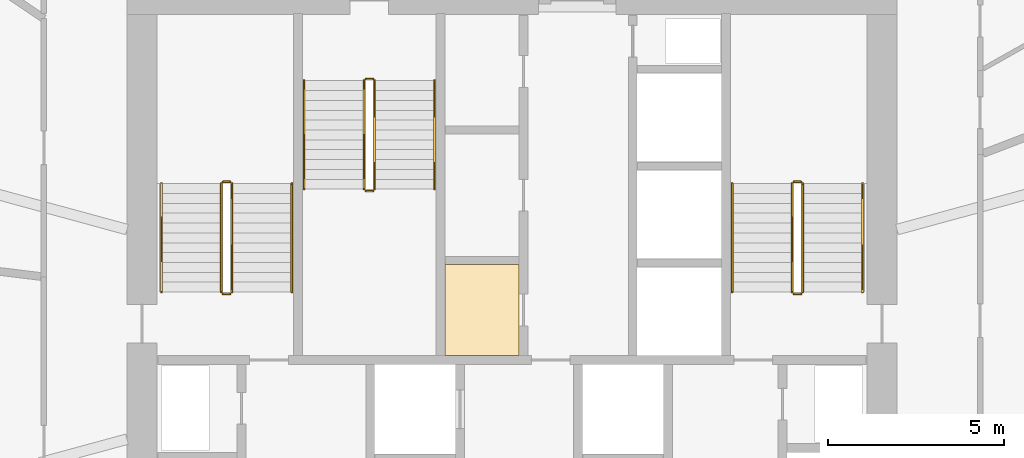
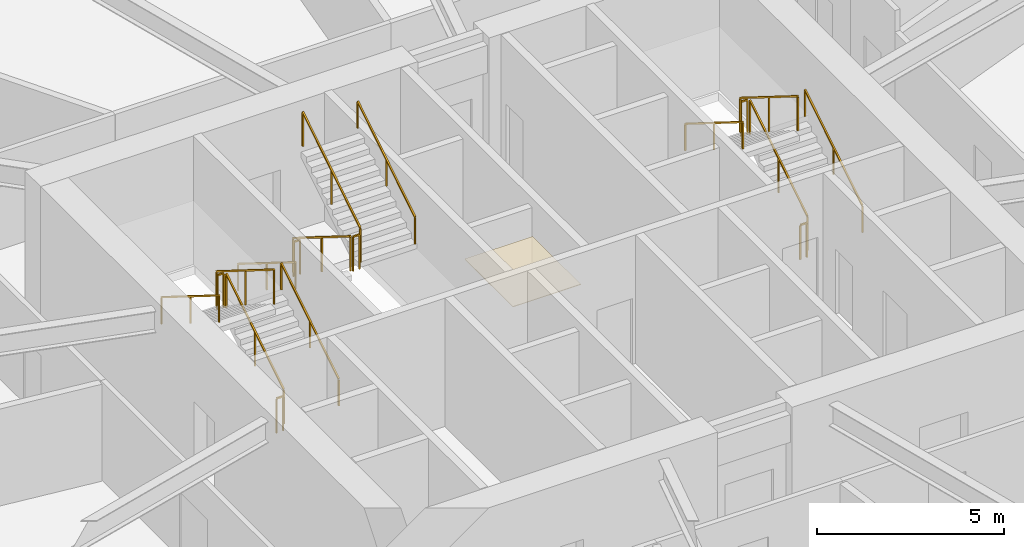
# One storey, part 25 of 25: 18 railings, 1 covering.
"""IFC4 building model written with IfcOpenShell, lengths in metres."""

from ifc_helpers import new_model, si_unit, direction, frame, origin, origin_2d, place, context, subcontext, project, spatial, polyline, rectangle, outline, extrude, material, layer, layer_set, type_object, element, save


model = new_model("IFC4")

# Units and contexts
model_context = context("Model", 3, precision=1e-05, world=origin(), true_north=direction((0.0, 1.0)))
body_context = subcontext(model_context, "Body", "Model", "MODEL_VIEW")
ifc_project = project(units=[si_unit("LENGTHUNIT", "METRE"), si_unit("AREAUNIT", "SQUARE_METRE"), si_unit("VOLUMEUNIT", "CUBIC_METRE"), si_unit("PLANEANGLEUNIT", "RADIAN"), si_unit("MASSUNIT", "GRAM", prefix="KILO")], contexts=[model_context])

# Site, building, storey
site_placement = place(None, origin())
site = spatial("IfcSite", under=ifc_project, at=site_placement, CompositionType="ELEMENT")
building_placement = place(site_placement, origin())
building = spatial("IfcBuilding", under=site, at=building_placement, Name="Zuhravey Tower", CompositionType="ELEMENT")
storey_placement = place(building_placement, frame((0.0, 0.0, 20.39990234375)))
storey = spatial("IfcBuildingStorey", under=building, at=storey_placement, Name="L05", CompositionType="ELEMENT", Elevation=20.39990234375)

# Covering
ifc_material_1 = material(Name="Moisture-resistant gypsum ceiling board")
ifc_layer = layer(ifc_material_1, 0.02001953125)
ifc_layer_set = layer_set([ifc_layer], Name="Moisture-resistant gypsum ceiling board")
covering_type = type_object("IfcCoveringType", Name="Moisture-Resistant Ceiling", PredefinedType="CEILING", material=ifc_layer_set)
covering_placement = place(storey_placement, frame((0.0, 0.0, 2.960205078125)))
element("IfcCovering", 1, at=covering_placement, inside=storey, type_object=covering_type, Name="L05 Wet-Room Ceiling CLG2", PredefinedType="CEILING", context=body_context, shape_type="SweptSolid", body=[
    extrude(outline(polyline([(36.199951171875, 31.39990234375), (36.199951171875, 33.97998046875), (34.10009765625, 33.97998046875), (34.10009765625, 31.39990234375), (36.199951171875, 31.39990234375)])), origin(), (0.0, 0.0, 1.0), 0.019775390625),
])

# Railings
ifc_material_2 = material(Name="Brushed stainless steel", Category="steel")
railing_type_1 = type_object("IfcRailingType", Name="Stair Wall Handrail 900", PredefinedType="HANDRAIL", material=ifc_material_2)
railing_1_placement = place(storey_placement, frame((29.75, 33.199951171875, 0.175048828125)))
element("IfcRailing", 2, at=railing_1_placement, inside=storey, type_object=railing_type_1, Name="L05 ST1 stair handrail 1", PredefinedType="HANDRAIL", context=body_context, shape_type="SweptSolid", body=[
    extrude(rectangle(XDim=0.048095703125, YDim=0.048095703125, at=origin_2d()), frame((0.0, 0.001708984375, 0.876953125), z_axis=(0.0, 0.847998304005, 0.529998940003), x_axis=(-1.0, 0.0, 0.0)), (0.0, 0.0, 1.0), 3.628173828125),
    extrude(rectangle(XDim=0.0419921875, YDim=0.0419921875, at=origin_2d()), origin(), (0.0, 0.0, 1.0), 0.849853515625),
    extrude(rectangle(XDim=0.0419921875, YDim=0.0419921875, at=origin_2d()), frame((0.0, 1.5400390625, 0.96240234375)), (0.0, 0.0, 1.0), 0.849853515625),
    extrude(rectangle(XDim=0.0419921875, YDim=0.0419921875, at=origin_2d()), frame((0.0, 3.080078125, 1.925048828125)), (0.0, 0.0, 1.0), 0.849853515625),
])
railing_2_placement = place(storey_placement, frame((26.050048828125, 36.280029296875, 2.275146484375)))
element("IfcRailing", 3, at=railing_2_placement, inside=storey, type_object=railing_type_1, Name="L05 ST1 stair handrail 2", PredefinedType="HANDRAIL", context=body_context, shape_type="SweptSolid", body=[
    extrude(rectangle(XDim=0.048095703125, YDim=0.048095703125, at=origin_2d()), frame((0.0, -0.001708984375, 0.876953125), z_axis=(0.0, -0.847998304005, 0.529998940003), x_axis=(1.0, 0.0, 0.0)), (0.0, 0.0, 1.0), 3.628173828125),
    extrude(rectangle(XDim=0.0419921875, YDim=0.0419921875, at=origin_2d()), origin(), (0.0, 0.0, 1.0), 0.849853515625),
    extrude(rectangle(XDim=0.0419921875, YDim=0.0419921875, at=origin_2d()), frame((0.0, -1.5400390625, 0.96240234375)), (0.0, 0.0, 1.0), 0.849853515625),
    extrude(rectangle(XDim=0.0419921875, YDim=0.0419921875, at=origin_2d()), frame((0.0, -3.080078125, 1.925048828125)), (0.0, 0.0, 1.0), 0.849853515625),
])
railing_3_placement = place(storey_placement, frame((45.949951171875, 33.199951171875, 0.175048828125)))
element("IfcRailing", 4, at=railing_3_placement, inside=storey, type_object=railing_type_1, Name="L05 ST2 stair handrail 1", PredefinedType="HANDRAIL", context=body_context, shape_type="SweptSolid", body=[
    extrude(rectangle(XDim=0.048095703125, YDim=0.048095703125, at=origin_2d()), frame((0.0, 0.001708984375, 0.876953125), z_axis=(0.0, 0.847998304005, 0.529998940003), x_axis=(-1.0, 0.0, 0.0)), (0.0, 0.0, 1.0), 3.628173828125),
    extrude(rectangle(XDim=0.0419921875, YDim=0.0419921875, at=origin_2d()), origin(), (0.0, 0.0, 1.0), 0.849853515625),
    extrude(rectangle(XDim=0.0419921875, YDim=0.0419921875, at=origin_2d()), frame((0.0, 1.5400390625, 0.96240234375)), (0.0, 0.0, 1.0), 0.849853515625),
    extrude(rectangle(XDim=0.0419921875, YDim=0.0419921875, at=origin_2d()), frame((0.0, 3.080078125, 1.925048828125)), (0.0, 0.0, 1.0), 0.849853515625),
])
railing_4_placement = place(storey_placement, frame((42.25, 36.280029296875, 2.275146484375)))
element("IfcRailing", 5, at=railing_4_placement, inside=storey, type_object=railing_type_1, Name="L05 ST2 stair handrail 2", PredefinedType="HANDRAIL", context=body_context, shape_type="SweptSolid", body=[
    extrude(rectangle(XDim=0.048095703125, YDim=0.048095703125, at=origin_2d()), frame((0.0, -0.001708984375, 0.876953125), z_axis=(0.0, -0.847998304005, 0.529998940003), x_axis=(1.0, 0.0, 0.0)), (0.0, 0.0, 1.0), 3.628173828125),
    extrude(rectangle(XDim=0.0419921875, YDim=0.0419921875, at=origin_2d()), origin(), (0.0, 0.0, 1.0), 0.849853515625),
    extrude(rectangle(XDim=0.0419921875, YDim=0.0419921875, at=origin_2d()), frame((0.0, -1.5400390625, 0.96240234375)), (0.0, 0.0, 1.0), 0.849853515625),
    extrude(rectangle(XDim=0.0419921875, YDim=0.0419921875, at=origin_2d()), frame((0.0, -3.080078125, 1.925048828125)), (0.0, 0.0, 1.0), 0.849853515625),
])
railing_5_placement = place(storey_placement, frame((30.10009765625, 39.199951171875, 0.175048828125)))
element("IfcRailing", 6, at=railing_5_placement, inside=storey, type_object=railing_type_1, Name="L05 ST3 stair handrail 1", PredefinedType="HANDRAIL", context=body_context, shape_type="SweptSolid", body=[
    extrude(rectangle(XDim=0.048095703125, YDim=0.048095703125, at=origin_2d()), frame((0.0, -0.001708984375, 0.876953125), z_axis=(0.0, -0.847979421464, 0.530029150871), x_axis=(1.0, 0.0, 0.0)), (0.0, 0.0, 1.0), 3.6279296875),
    extrude(rectangle(XDim=0.0419921875, YDim=0.0419921875, at=origin_2d()), origin(), (0.0, 0.0, 1.0), 0.849853515625),
    extrude(rectangle(XDim=0.0419921875, YDim=0.0419921875, at=origin_2d()), frame((0.0, -1.5400390625, 0.96240234375)), (0.0, 0.0, 1.0), 0.849853515625),
    extrude(rectangle(XDim=0.0419921875, YDim=0.0419921875, at=origin_2d()), frame((0.0, -3.079833984375, 1.925048828125)), (0.0, 0.0, 1.0), 0.849853515625),
])
railing_6_placement = place(storey_placement, frame((33.800048828125, 36.1201171875, 2.275146484375)))
element("IfcRailing", 7, at=railing_6_placement, inside=storey, type_object=railing_type_1, Name="L05 ST3 stair handrail 2", PredefinedType="HANDRAIL", context=body_context, shape_type="SweptSolid", body=[
    extrude(rectangle(XDim=0.048095703125, YDim=0.048095703125, at=origin_2d()), frame((0.0, 0.001708984375, 0.876953125), z_axis=(0.0, 0.847979421464, 0.530029150871), x_axis=(-1.0, 0.0, 0.0)), (0.0, 0.0, 1.0), 3.6279296875),
    extrude(rectangle(XDim=0.0419921875, YDim=0.0419921875, at=origin_2d()), origin(), (0.0, 0.0, 1.0), 0.849853515625),
    extrude(rectangle(XDim=0.0419921875, YDim=0.0419921875, at=origin_2d()), frame((0.0, 1.5400390625, 0.96240234375)), (0.0, 0.0, 1.0), 0.849853515625),
    extrude(rectangle(XDim=0.0419921875, YDim=0.0419921875, at=origin_2d()), frame((0.0, 3.079833984375, 1.925048828125)), (0.0, 0.0, 1.0), 0.849853515625),
])
ifc_material_3 = material(Name="Painted tubular steel", Category="steel")
railing_type_2 = type_object("IfcRailingType", Name="Stair Well Guardrail 1150", PredefinedType="GUARDRAIL", material=ifc_material_3)
railing_7_placement = place(storey_placement, frame((28.050048828125, 33.199951171875, 0.175048828125)))
element("IfcRailing", 8, at=railing_7_placement, inside=storey, type_object=railing_type_2, Name="L05 ST1 stair guard 1", PredefinedType="GUARDRAIL", context=body_context, shape_type="SweptSolid", body=[
    extrude(rectangle(XDim=0.048095703125, YDim=0.048095703125, at=origin_2d()), frame((0.0, 0.001708984375, 1.126953125), z_axis=(0.0, 0.847998304005, 0.529998940003), x_axis=(-1.0, 0.0, 0.0)), (0.0, 0.0, 1.0), 3.628173828125),
    extrude(rectangle(XDim=0.0419921875, YDim=0.0419921875, at=origin_2d()), origin(), (0.0, 0.0, 1.0), 1.099853515625),
    extrude(rectangle(XDim=0.0419921875, YDim=0.0419921875, at=origin_2d()), frame((0.0, 1.5400390625, 0.96240234375)), (0.0, 0.0, 1.0), 1.099853515625),
    extrude(rectangle(XDim=0.0419921875, YDim=0.0419921875, at=origin_2d()), frame((0.0, 3.080078125, 1.925048828125)), (0.0, 0.0, 1.0), 1.099853515625),
])
railing_8_placement = place(storey_placement, frame((28.0, 36.330078125, 2.10009765625)))
element("IfcRailing", 9, at=railing_8_placement, inside=storey, type_object=railing_type_2, Name="L05 ST1 stair guard 2", PredefinedType="GUARDRAIL", context=body_context, shape_type="SweptSolid", body=[
    extrude(rectangle(XDim=0.048095703125, YDim=0.048095703125, at=origin_2d()), frame((-0.001953125, 0.0, 1.1259765625), z_axis=(-1.0, 0.0, 0.0), x_axis=(0.0, -1.0, 0.0)), (0.0, 0.0, 1.0), 0.196044921875),
    extrude(rectangle(XDim=0.0419921875, YDim=0.0419921875, at=origin_2d()), origin(), (0.0, 0.0, 1.0), 1.099853515625),
    extrude(rectangle(XDim=0.0419921875, YDim=0.0419921875, at=origin_2d()), frame((-0.199951171875, 0.0, 0.0)), (0.0, 0.0, 1.0), 1.099853515625),
])
railing_9_placement = place(storey_placement, frame((27.75, 36.280029296875, 2.275146484375)))
element("IfcRailing", 10, at=railing_9_placement, inside=storey, type_object=railing_type_2, Name="L05 ST1 stair guard 3", PredefinedType="GUARDRAIL", context=body_context, shape_type="SweptSolid", body=[
    extrude(rectangle(XDim=0.048095703125, YDim=0.048095703125, at=origin_2d()), frame((0.0, -0.001708984375, 1.126953125), z_axis=(0.0, -0.847998304005, 0.529998940003), x_axis=(1.0, 0.0, 0.0)), (0.0, 0.0, 1.0), 3.628173828125),
    extrude(rectangle(XDim=0.0419921875, YDim=0.0419921875, at=origin_2d()), origin(), (0.0, 0.0, 1.0), 1.099853515625),
    extrude(rectangle(XDim=0.0419921875, YDim=0.0419921875, at=origin_2d()), frame((0.0, -1.5400390625, 0.96240234375)), (0.0, 0.0, 1.0), 1.099853515625),
    extrude(rectangle(XDim=0.0419921875, YDim=0.0419921875, at=origin_2d()), frame((0.0, -3.080078125, 1.925048828125)), (0.0, 0.0, 1.0), 1.099853515625),
])
railing_10_placement = place(storey_placement, frame((28.0, 33.14990234375, 0.0)))
element("IfcRailing", 11, at=railing_10_placement, inside=storey, type_object=railing_type_2, Name="L05 ST1 stair guard 4", PredefinedType="GUARDRAIL", context=body_context, shape_type="SweptSolid", body=[
    extrude(rectangle(XDim=0.048095703125, YDim=0.048095703125, at=origin_2d()), frame((-0.001953125, 0.0, 1.1259765625), z_axis=(-1.0, 0.0, 0.0), x_axis=(0.0, -1.0, 0.0)), (0.0, 0.0, 1.0), 0.196044921875),
    extrude(rectangle(XDim=0.0419921875, YDim=0.0419921875, at=origin_2d()), origin(), (0.0, 0.0, 1.0), 1.099853515625),
    extrude(rectangle(XDim=0.0419921875, YDim=0.0419921875, at=origin_2d()), frame((-0.199951171875, 0.0, 0.0)), (0.0, 0.0, 1.0), 1.099853515625),
])
railing_11_placement = place(storey_placement, frame((44.25, 33.199951171875, 0.175048828125)))
element("IfcRailing", 12, at=railing_11_placement, inside=storey, type_object=railing_type_2, Name="L05 ST2 stair guard 1", PredefinedType="GUARDRAIL", context=body_context, shape_type="SweptSolid", body=[
    extrude(rectangle(XDim=0.048095703125, YDim=0.048095703125, at=origin_2d()), frame((0.0, 0.001708984375, 1.126953125), z_axis=(0.0, 0.847998304005, 0.529998940003), x_axis=(-1.0, 0.0, 0.0)), (0.0, 0.0, 1.0), 3.628173828125),
    extrude(rectangle(XDim=0.0419921875, YDim=0.0419921875, at=origin_2d()), origin(), (0.0, 0.0, 1.0), 1.099853515625),
    extrude(rectangle(XDim=0.0419921875, YDim=0.0419921875, at=origin_2d()), frame((0.0, 1.5400390625, 0.96240234375)), (0.0, 0.0, 1.0), 1.099853515625),
    extrude(rectangle(XDim=0.0419921875, YDim=0.0419921875, at=origin_2d()), frame((0.0, 3.080078125, 1.925048828125)), (0.0, 0.0, 1.0), 1.099853515625),
])
railing_12_placement = place(storey_placement, frame((44.199951171875, 36.330078125, 2.10009765625)))
element("IfcRailing", 13, at=railing_12_placement, inside=storey, type_object=railing_type_2, Name="L05 ST2 stair guard 2", PredefinedType="GUARDRAIL", context=body_context, shape_type="SweptSolid", body=[
    extrude(rectangle(XDim=0.048095703125, YDim=0.048095703125, at=origin_2d()), frame((-0.001953125, 0.0, 1.1259765625), z_axis=(-1.0, 0.0, 0.0), x_axis=(0.0, -1.0, 0.0)), (0.0, 0.0, 1.0), 0.196044921875),
    extrude(rectangle(XDim=0.0419921875, YDim=0.0419921875, at=origin_2d()), origin(), (0.0, 0.0, 1.0), 1.099853515625),
    extrude(rectangle(XDim=0.0419921875, YDim=0.0419921875, at=origin_2d()), frame((-0.199951171875, 0.0, 0.0)), (0.0, 0.0, 1.0), 1.099853515625),
])
railing_13_placement = place(storey_placement, frame((43.949951171875, 36.280029296875, 2.275146484375)))
element("IfcRailing", 14, at=railing_13_placement, inside=storey, type_object=railing_type_2, Name="L05 ST2 stair guard 3", PredefinedType="GUARDRAIL", context=body_context, shape_type="SweptSolid", body=[
    extrude(rectangle(XDim=0.048095703125, YDim=0.048095703125, at=origin_2d()), frame((0.0, -0.001708984375, 1.126953125), z_axis=(0.0, -0.847998304005, 0.529998940003), x_axis=(1.0, 0.0, 0.0)), (0.0, 0.0, 1.0), 3.628173828125),
    extrude(rectangle(XDim=0.0419921875, YDim=0.0419921875, at=origin_2d()), origin(), (0.0, 0.0, 1.0), 1.099853515625),
    extrude(rectangle(XDim=0.0419921875, YDim=0.0419921875, at=origin_2d()), frame((0.0, -1.5400390625, 0.96240234375)), (0.0, 0.0, 1.0), 1.099853515625),
    extrude(rectangle(XDim=0.0419921875, YDim=0.0419921875, at=origin_2d()), frame((0.0, -3.080078125, 1.925048828125)), (0.0, 0.0, 1.0), 1.099853515625),
])
railing_14_placement = place(storey_placement, frame((44.199951171875, 33.14990234375, 0.0)))
element("IfcRailing", 15, at=railing_14_placement, inside=storey, type_object=railing_type_2, Name="L05 ST2 stair guard 4", PredefinedType="GUARDRAIL", context=body_context, shape_type="SweptSolid", body=[
    extrude(rectangle(XDim=0.048095703125, YDim=0.048095703125, at=origin_2d()), frame((-0.001953125, 0.0, 1.1259765625), z_axis=(-1.0, 0.0, 0.0), x_axis=(0.0, -1.0, 0.0)), (0.0, 0.0, 1.0), 0.196044921875),
    extrude(rectangle(XDim=0.0419921875, YDim=0.0419921875, at=origin_2d()), origin(), (0.0, 0.0, 1.0), 1.099853515625),
    extrude(rectangle(XDim=0.0419921875, YDim=0.0419921875, at=origin_2d()), frame((-0.199951171875, 0.0, 0.0)), (0.0, 0.0, 1.0), 1.099853515625),
])
railing_15_placement = place(storey_placement, frame((31.800048828125, 39.199951171875, 0.175048828125)))
element("IfcRailing", 16, at=railing_15_placement, inside=storey, type_object=railing_type_2, Name="L05 ST3 stair guard 1", PredefinedType="GUARDRAIL", context=body_context, shape_type="SweptSolid", body=[
    extrude(rectangle(XDim=0.048095703125, YDim=0.048095703125, at=origin_2d()), frame((0.0, -0.001708984375, 1.126953125), z_axis=(0.0, -0.847979421464, 0.530029150871), x_axis=(1.0, 0.0, 0.0)), (0.0, 0.0, 1.0), 3.6279296875),
    extrude(rectangle(XDim=0.0419921875, YDim=0.0419921875, at=origin_2d()), origin(), (0.0, 0.0, 1.0), 1.099853515625),
    extrude(rectangle(XDim=0.0419921875, YDim=0.0419921875, at=origin_2d()), frame((0.0, -1.5400390625, 0.96240234375)), (0.0, 0.0, 1.0), 1.099853515625),
    extrude(rectangle(XDim=0.0419921875, YDim=0.0419921875, at=origin_2d()), frame((0.0, -3.079833984375, 1.925048828125)), (0.0, 0.0, 1.0), 1.099853515625),
])
railing_16_placement = place(storey_placement, frame((31.85009765625, 36.070068359375, 2.10009765625)))
element("IfcRailing", 17, at=railing_16_placement, inside=storey, type_object=railing_type_2, Name="L05 ST3 stair guard 2", PredefinedType="GUARDRAIL", context=body_context, shape_type="SweptSolid", body=[
    extrude(rectangle(XDim=0.048095703125, YDim=0.048095703125, at=origin_2d()), frame((0.001953125, 0.0, 1.1259765625), z_axis=(1.0, 0.0, 0.0), x_axis=(0.0, 1.0, 0.0)), (0.0, 0.0, 1.0), 0.196044921875),
    extrude(rectangle(XDim=0.0419921875, YDim=0.0419921875, at=origin_2d()), origin(), (0.0, 0.0, 1.0), 1.099853515625),
    extrude(rectangle(XDim=0.0419921875, YDim=0.0419921875, at=origin_2d()), frame((0.199951171875, 0.0, 0.0)), (0.0, 0.0, 1.0), 1.099853515625),
])
railing_17_placement = place(storey_placement, frame((32.10009765625, 36.1201171875, 2.275146484375)))
element("IfcRailing", 18, at=railing_17_placement, inside=storey, type_object=railing_type_2, Name="L05 ST3 stair guard 3", PredefinedType="GUARDRAIL", context=body_context, shape_type="SweptSolid", body=[
    extrude(rectangle(XDim=0.048095703125, YDim=0.048095703125, at=origin_2d()), frame((0.0, 0.001708984375, 1.126953125), z_axis=(0.0, 0.847979421464, 0.530029150871), x_axis=(-1.0, 0.0, 0.0)), (0.0, 0.0, 1.0), 3.6279296875),
    extrude(rectangle(XDim=0.0419921875, YDim=0.0419921875, at=origin_2d()), origin(), (0.0, 0.0, 1.0), 1.099853515625),
    extrude(rectangle(XDim=0.0419921875, YDim=0.0419921875, at=origin_2d()), frame((0.0, 1.5400390625, 0.96240234375)), (0.0, 0.0, 1.0), 1.099853515625),
    extrude(rectangle(XDim=0.0419921875, YDim=0.0419921875, at=origin_2d()), frame((0.0, 3.079833984375, 1.925048828125)), (0.0, 0.0, 1.0), 1.099853515625),
])
railing_18_placement = place(storey_placement, frame((31.85009765625, 39.25, 0.0)))
element("IfcRailing", 19, at=railing_18_placement, inside=storey, type_object=railing_type_2, Name="L05 ST3 stair guard 4", PredefinedType="GUARDRAIL", context=body_context, shape_type="SweptSolid", body=[
    extrude(rectangle(XDim=0.048095703125, YDim=0.048095703125, at=origin_2d()), frame((0.001953125, 0.0, 1.1259765625), z_axis=(1.0, 0.0, 0.0), x_axis=(0.0, 1.0, 0.0)), (0.0, 0.0, 1.0), 0.196044921875),
    extrude(rectangle(XDim=0.0419921875, YDim=0.0419921875, at=origin_2d()), origin(), (0.0, 0.0, 1.0), 1.099853515625),
    extrude(rectangle(XDim=0.0419921875, YDim=0.0419921875, at=origin_2d()), frame((0.199951171875, 0.0, 0.0)), (0.0, 0.0, 1.0), 1.099853515625),
])

save(model, "model.ifc")
